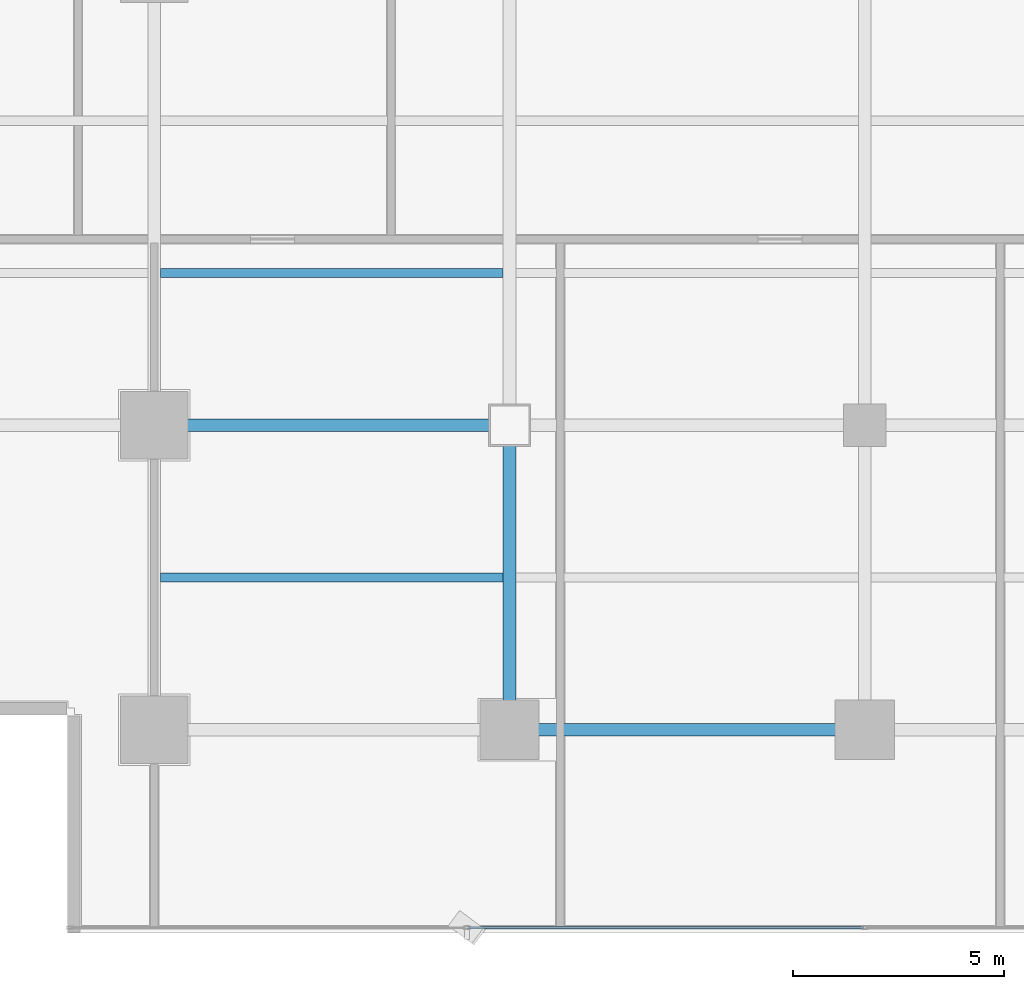
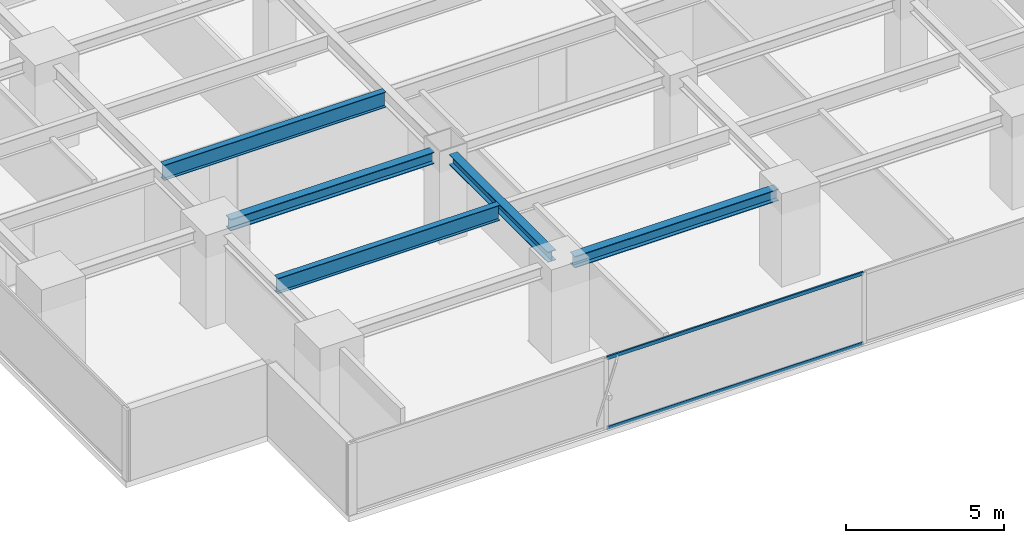
# One storey, part 4 of 28: 5 beams, 2 members, 1 element without a shape of its own.
"""IFC4 building model written with IfcOpenShell, lengths in metres."""

from ifc_helpers import new_model, si_unit, direction, frame, origin, origin_2d, place, context, subcontext, project, spatial, hollow_rectangle, i_section, extrude, source, transform, mapped, material, layer, layer_set, material_profile, profile_set, type_object, element, aggregate, save


model = new_model("IFC4")

# Units and contexts
model_context = context("Model", 3, precision=1e-05, world=origin(), true_north=direction((0.0, 1.0)))
body_context = subcontext(model_context, "Body", "Model", "MODEL_VIEW")
ifc_project = project(units=[si_unit("LENGTHUNIT", "METRE"), si_unit("AREAUNIT", "SQUARE_METRE"), si_unit("VOLUMEUNIT", "CUBIC_METRE"), si_unit("PLANEANGLEUNIT", "RADIAN"), si_unit("MASSUNIT", "GRAM", prefix="KILO")], contexts=[model_context])

# Site, building, storey
site_placement = place(None, origin())
site = spatial("IfcSite", under=ifc_project, at=site_placement, CompositionType="ELEMENT")
building_placement = place(site_placement, origin())
building = spatial("IfcBuilding", under=site, at=building_placement, Name="Sumidabori Civic Tower", CompositionType="ELEMENT")
storey_placement = place(building_placement, frame((0.0, 0.0, 174.800048828125)))
storey = spatial("IfcBuildingStorey", under=building, at=storey_placement, Name="L45", CompositionType="ELEMENT", Elevation=174.800048828125)

# Beams
ifc_material_1 = material(Name="Steel SN490", Category="steel")
ifc_material_profile_1 = material_profile(ifc_material_1, i_section(OverallWidth=0.300048828125, OverallDepth=0.39990234375, WebThickness=0.013427734375, FlangeThickness=0.02392578125, at=origin_2d()), Name="HE 400 B")
ifc_profile_set_1 = profile_set([ifc_material_profile_1], Name="Steel SN490")
beam_type_1 = type_object("IfcBeamType", Name="BM-GIRD-400", PredefinedType="BEAM", material=ifc_profile_set_1)
shared_shape_1 = source(origin(), body_context, "Body", "SweptSolid", [
    extrude(i_section(OverallWidth=0.300048828125, OverallDepth=0.39990234375, WebThickness=0.013427734375, FlangeThickness=0.02392578125, at=origin_2d()), origin(), (0.0, 0.0, 1.0), 6.239990234375),
])
beam_1_placement = place(storey_placement, frame((-8.39990234375, -17.52001953125, 3.179931640625), z_axis=(0.0, 1.0, 0.0), x_axis=(-1.0, 0.0, 0.0)))
element("IfcBeam", 1, at=beam_1_placement, inside=storey, type_object=beam_type_1, Name="Primary Girder L45 GY-26", PredefinedType="BEAM", context=body_context, shape_type="MappedRepresentation", body=[
    mapped(shared_shape_1, transform((0.0, 0.0, 0.0), x_axis=(1.0, 0.0, 0.0), y_axis=(0.0, 1.0, 0.0), z_axis=(0.0, 0.0, 1.0), scale=1.0)),
])
ifc_material_profile_2 = material_profile(ifc_material_1, i_section(OverallWidth=0.219970703125, OverallDepth=0.60009765625, WebThickness=0.011962890625, FlangeThickness=0.01904296875, at=origin_2d()), Name="IPE 600")
ifc_profile_set_2 = profile_set([ifc_material_profile_2], Name="Steel SN490")
beam_type_2 = type_object("IfcBeamType", Name="BM-JST-600", PredefinedType="JOIST", material=ifc_profile_set_2)
shared_shape_2 = source(origin(), body_context, "Body", "SweptSolid", [
    extrude(i_section(OverallWidth=0.219970703125, OverallDepth=0.60009765625, WebThickness=0.011962890625, FlangeThickness=0.01904296875, at=origin_2d()), origin(), (0.0, 0.0, 1.0), 8.099853515625),
])
for number, where, z_axis, x_axis, name in (
    (2, (-16.64990234375, -14.39990234375, 3.079833984375), (1.0, 0.0, 0.0), (0.0, 1.0, 0.0), "South Bay Floor Joist L45 JSTS-49"),
    (3, (-16.64990234375, -7.199951171875, 3.079833984375), (1.0, 0.0, 0.0), (0.0, 1.0, 0.0), "South Bay Floor Joist L45 JSTS-53"),
):
    element("IfcBeam", number, at=place(storey_placement, frame(where, z_axis=z_axis, x_axis=x_axis)), inside=storey, type_object=beam_type_2, Name=name, PredefinedType="JOIST", context=body_context, shape_type="MappedRepresentation", body=[
        mapped(shared_shape_2, transform((0.0, 0.0, 0.0), x_axis=(1.0, 0.0, 0.0), y_axis=(0.0, 1.0, 0.0), z_axis=(0.0, 0.0, 1.0), scale=1.0)),
    ])
ifc_material_profile_3 = material_profile(ifc_material_1, i_section(OverallWidth=0.300048828125, OverallDepth=0.449951171875, WebThickness=0.013916015625, FlangeThickness=0.02587890625, at=origin_2d()), Name="HE 450 B")
ifc_profile_set_3 = profile_set([ifc_material_profile_3], Name="Steel SN490")
beam_type_3 = type_object("IfcBeamType", Name="BM-GIRD-450", PredefinedType="BEAM", material=ifc_profile_set_3)
shared_shape_3 = source(origin(), body_context, "Body", "SweptSolid", [
    extrude(i_section(OverallWidth=0.300048828125, OverallDepth=0.449951171875, WebThickness=0.013916015625, FlangeThickness=0.02587890625, at=origin_2d()), origin(), (0.0, 0.0, 1.0), 7.440185546875),
])
beam_2_placement = place(storey_placement, frame((-16.320068359375, -10.800048828125, 3.155029296875), z_axis=(1.0, 0.0, 0.0), x_axis=(0.0, 1.0, 0.0)))
element("IfcBeam", 4, at=beam_2_placement, inside=storey, type_object=beam_type_3, Name="Primary Girder L45 GX-06", PredefinedType="BEAM", context=body_context, shape_type="MappedRepresentation", body=[
    mapped(shared_shape_3, transform((0.0, 0.0, 0.0), x_axis=(1.0, 0.0, 0.0), y_axis=(0.0, 1.0, 0.0), z_axis=(0.0, 0.0, 1.0), scale=1.0)),
])
shared_shape_4 = source(origin(), body_context, "Body", "SweptSolid", [
    extrude(i_section(OverallWidth=0.300048828125, OverallDepth=0.449951171875, WebThickness=0.013916015625, FlangeThickness=0.02587890625, at=origin_2d()), origin(), (0.0, 0.0, 1.0), 7.43994140625),
])
beam_3_placement = place(storey_placement, frame((-7.919921875, -18.0, 3.155029296875), z_axis=(1.0, 0.0, 0.0), x_axis=(0.0, 1.0, 0.0)))
element("IfcBeam", 5, at=beam_3_placement, inside=storey, type_object=beam_type_3, Name="Primary Girder L45 GX-02", PredefinedType="BEAM", context=body_context, shape_type="MappedRepresentation", body=[
    mapped(shared_shape_4, transform((0.0, 0.0, 0.0), x_axis=(1.0, 0.0, 0.0), y_axis=(0.0, 1.0, 0.0), z_axis=(0.0, 0.0, 1.0), scale=1.0)),
])

# Curtain wall, members
ifc_material_2 = material(Name="Anodised Bronze Aluminium AW-6063-T6", Category="aluminium")
ifc_layer = layer(ifc_material_2, 0.179931640625, Name="Anodised Bronze Aluminium AW-6063-T6")
ifc_layer_set = layer_set([ifc_layer], Name="Anodised Bronze Aluminium AW-6063-T6")
curtain_wall_type = type_object("IfcCurtainWallType", Name="CW-SYS-3", PredefinedType="NOTDEFINED", material=ifc_layer_set)
curtain_wall_placement = place(storey_placement, origin())
curtain_wall = element("IfcCurtainWall", 6, at=curtain_wall_placement, inside=storey, type_object=curtain_wall_type, Name="Curtain Wall CW:L45:R01", PredefinedType="NOTDEFINED")
ifc_material_profile_4 = material_profile(ifc_material_2, hollow_rectangle(XDim=0.06005859375, YDim=0.1298828125, WallThickness=0.0048828125, at=origin_2d()), Name="ALU TRANSOM 130x60")
ifc_profile_set_4 = profile_set([ifc_material_profile_4], Name="Anodised Bronze Aluminium AW-6063-T6")
member_type = type_object("IfcMemberType", Name="CW-TRN-130", PredefinedType="USERDEFINED", material=ifc_profile_set_4)
shared_shape_5 = source(origin(), body_context, "Body", "SweptSolid", [
    extrude(hollow_rectangle(XDim=0.06005859375, YDim=0.1298828125, WallThickness=0.0048828125, at=origin_2d()), origin(), (0.0, 0.0, 1.0), 9.344970703125),
])
member_1_placement = place(storey_placement, frame((-9.37744140625, -22.679931640625, 0.030029296875), z_axis=(1.0, 0.0, 0.0), x_axis=(0.0, 1.0, 0.0)))
member_1 = element("IfcMember", 7, at=member_1_placement, type_object=member_type, Name="CW-3 transom 2.1", ObjectType="TRANSOM", PredefinedType="USERDEFINED", context=body_context, shape_type="MappedRepresentation", body=[
    mapped(shared_shape_5, transform((0.0, 0.0, 0.0), x_axis=(1.0, 0.0, 0.0), y_axis=(0.0, 1.0, 0.0), z_axis=(0.0, 0.0, 1.0), scale=1.0)),
])
member_2_placement = place(storey_placement, frame((-9.37744140625, -22.679931640625, 2.72998046875), z_axis=(1.0, 0.0, 0.0), x_axis=(0.0, 1.0, 0.0)))
member_2 = element("IfcMember", 8, at=member_2_placement, type_object=member_type, Name="CW-3 transom 2.2", ObjectType="TRANSOM", PredefinedType="USERDEFINED", context=body_context, shape_type="MappedRepresentation", body=[
    mapped(shared_shape_5, transform((0.0, 0.0, 0.0), x_axis=(1.0, 0.0, 0.0), y_axis=(0.0, 1.0, 0.0), z_axis=(0.0, 0.0, 1.0), scale=1.0)),
])
aggregate(curtain_wall, [member_1, member_2])

save(model, "model.ifc")
